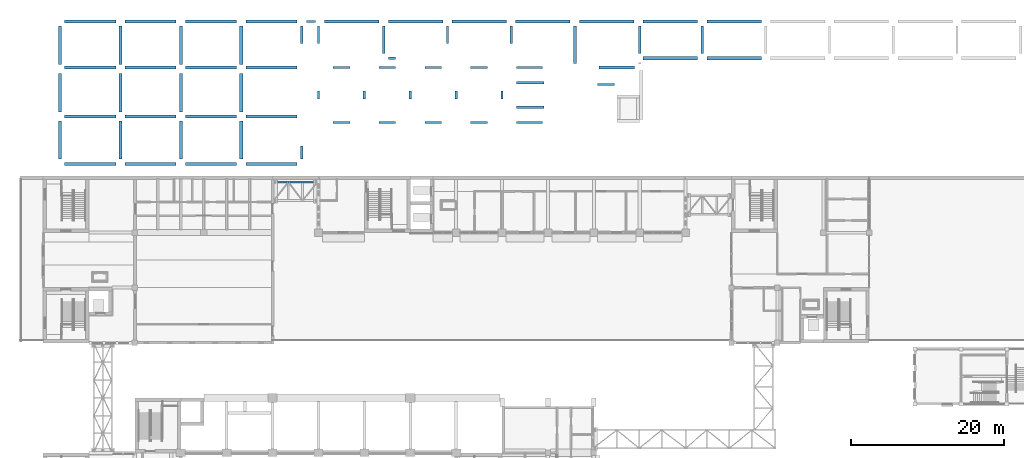
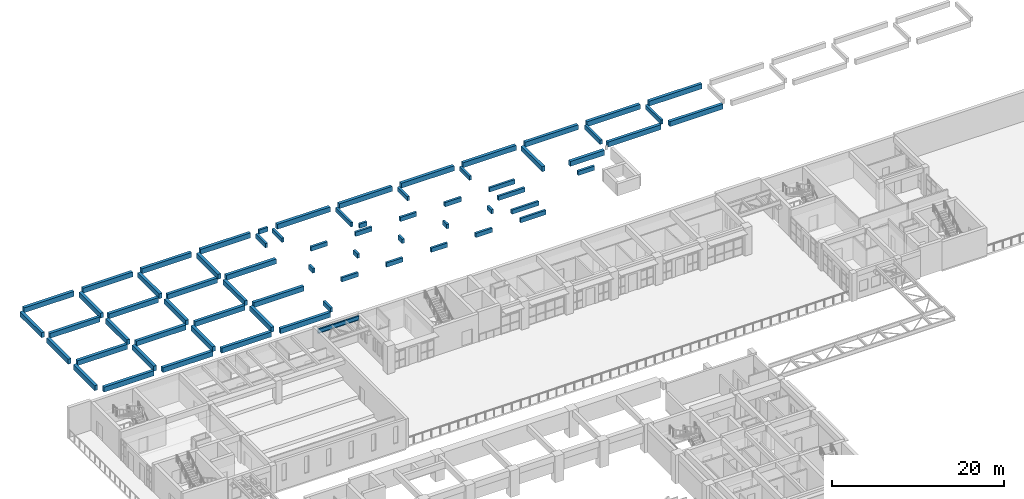
# One storey, part 38 of 103: 68 beams.
"""IFC4 building model written with IfcOpenShell, lengths in metres."""

from ifc_helpers import new_model, si_unit, direction, frame, origin, origin_2d, place, context, subcontext, project, spatial, rectangle, i_section, extrude, material, material_profile, profile_set, type_object, element, save


model = new_model("IFC4")

# Units and contexts
model_context = context("Model", 3, precision=1e-05, world=origin(), true_north=direction((0.0, 1.0)))
body_context = subcontext(model_context, "Body", "Model", "MODEL_VIEW")
ifc_project = project(units=[si_unit("LENGTHUNIT", "METRE"), si_unit("AREAUNIT", "SQUARE_METRE"), si_unit("VOLUMEUNIT", "CUBIC_METRE"), si_unit("PLANEANGLEUNIT", "RADIAN"), si_unit("MASSUNIT", "GRAM", prefix="KILO")], contexts=[model_context])

# Site, building, storey
site_placement = place(None, origin())
site = spatial("IfcSite", under=ifc_project, at=site_placement, CompositionType="ELEMENT")
building_placement = place(site_placement, origin())
building = spatial("IfcBuilding", under=site, at=building_placement, Name="Laocheng Heights Fire and Rescue Headquarters", CompositionType="ELEMENT")
storey_placement = place(building_placement, frame((0.0, 0.0, 4.199951171875)))
storey = spatial("IfcBuildingStorey", under=building, at=storey_placement, Name="L01", CompositionType="ELEMENT", Elevation=4.199951171875)

# Beams
ifc_material_1 = material(Name="Concrete C40", Category="concrete")
ifc_material_profile_1 = material_profile(ifc_material_1, rectangle(XDim=0.300048828125, YDim=0.60009765625, at=origin_2d()), Name="RC GROUND BEAM 300x600")
ifc_profile_set_1 = profile_set([ifc_material_profile_1], Name="Concrete C40")
beam_type_1 = type_object("IfcBeamType", Name="RC GROUND BEAM 300x600", PredefinedType="BEAM", material=ifc_profile_set_1)
beam_1_placement = place(storey_placement, frame((33.800048828125, 60.0, 3.650146484375), z_axis=(0.0, 1.0, 0.0), x_axis=(-1.0, 0.0, 0.0)))
element("IfcBeam", 1, at=beam_1_placement, inside=storey, type_object=beam_type_1, Name="Ground beam GB148", PredefinedType="BEAM", context=body_context, shape_type="SweptSolid", body=[
    extrude(rectangle(XDim=0.300048828125, YDim=0.60009765625, at=origin_2d()), origin(), (0.0, 0.0, 1.0), 1.699951171875),
])
for number, where, z_axis, x_axis, name in (
    (2, (37.89990234375, 64.800048828125, 3.650146484375), (1.0, 0.0, 0.0), (0.0, 1.0, 0.0), "Ground beam GB149"),
    (3, (43.89990234375, 64.800048828125, 3.650146484375), (1.0, 0.0, 0.0), (0.0, 1.0, 0.0), "Ground beam GB150"),
    (4, (49.89990234375, 64.800048828125, 3.650146484375), (1.0, 0.0, 0.0), (0.0, 1.0, 0.0), "Ground beam GB151"),
    (5, (55.89990234375, 64.800048828125, 3.650146484375), (1.0, 0.0, 0.0), (0.0, 1.0, 0.0), "Ground beam GB152"),
):
    element("IfcBeam", number, at=place(storey_placement, frame(where, z_axis=z_axis, x_axis=x_axis)), inside=storey, type_object=beam_type_1, Name=name, PredefinedType="BEAM", context=body_context, shape_type="SweptSolid", body=[
        extrude(rectangle(XDim=0.300048828125, YDim=0.60009765625, at=origin_2d()), origin(), (0.0, 0.0, 1.0), 2.2001953125),
    ])
beam_2_placement = place(storey_placement, frame((61.89990234375, 64.800048828125, 3.650146484375), z_axis=(1.0, 0.0, 0.0), x_axis=(0.0, 1.0, 0.0)))
element("IfcBeam", 6, at=beam_2_placement, inside=storey, type_object=beam_type_1, Name="Ground beam GB153", PredefinedType="BEAM", context=body_context, shape_type="SweptSolid", body=[
    extrude(rectangle(XDim=0.300048828125, YDim=0.60009765625, at=origin_2d()), origin(), (0.0, 0.0, 1.0), 3.400146484375),
])
beam_3_placement = place(storey_placement, frame((61.89990234375, 66.800048828125, 3.650146484375), z_axis=(1.0, 0.0, 0.0), x_axis=(0.0, 1.0, 0.0)))
element("IfcBeam", 7, at=beam_3_placement, inside=storey, type_object=beam_type_1, Name="Ground beam GB162", PredefinedType="BEAM", context=body_context, shape_type="SweptSolid", body=[
    extrude(rectangle(XDim=0.300048828125, YDim=0.60009765625, at=origin_2d()), origin(), (0.0, 0.0, 1.0), 3.60009765625),
])
for number, where, z_axis, x_axis, name in (
    (8, (36.0, 67.89990234375, 3.650146484375), (0.0, 1.0, 0.0), (-1.0, 0.0, 0.0), "Ground beam GB163"),
    (9, (42.0, 67.89990234375, 3.650146484375), (0.0, 1.0, 0.0), (-1.0, 0.0, 0.0), "Ground beam GB164"),
    (10, (48.0, 67.89990234375, 3.650146484375), (0.0, 1.0, 0.0), (-1.0, 0.0, 0.0), "Ground beam GB165"),
    (11, (54.0, 67.89990234375, 3.650146484375), (0.0, 1.0, 0.0), (-1.0, 0.0, 0.0), "Ground beam GB166"),
    (12, (60.0, 67.89990234375, 3.650146484375), (0.0, 1.0, 0.0), (-1.0, 0.0, 0.0), "Ground beam GB167"),
):
    element("IfcBeam", number, at=place(storey_placement, frame(where, z_axis=z_axis, x_axis=x_axis)), inside=storey, type_object=beam_type_1, Name=name, PredefinedType="BEAM", context=body_context, shape_type="SweptSolid", body=[
        extrude(rectangle(XDim=0.300048828125, YDim=0.60009765625, at=origin_2d()), origin(), (0.0, 0.0, 1.0), 1.0),
    ])
beam_4_placement = place(storey_placement, frame((72.5, 69.762451171875, 3.650146484375), z_axis=(1.0, 0.0, 0.0), x_axis=(0.0, 1.0, 0.0)))
element("IfcBeam", 13, at=beam_4_placement, inside=storey, type_object=beam_type_1, Name="Ground beam GB262", PredefinedType="BEAM", context=body_context, shape_type="SweptSolid", body=[
    extrude(rectangle(XDim=0.300048828125, YDim=0.60009765625, at=origin_2d()), origin(), (0.0, 0.0, 1.0), 2.199951171875),
])
beam_5_placement = place(storey_placement, frame((61.89990234375, 70.0, 3.650146484375), z_axis=(1.0, 0.0, 0.0), x_axis=(0.0, 1.0, 0.0)))
element("IfcBeam", 14, at=beam_5_placement, inside=storey, type_object=beam_type_1, Name="Ground beam GB169", PredefinedType="BEAM", context=body_context, shape_type="SweptSolid", body=[
    extrude(rectangle(XDim=0.300048828125, YDim=0.60009765625, at=origin_2d()), origin(), (0.0, 0.0, 1.0), 3.60009765625),
])
for number, where, z_axis, x_axis, name in (
    (15, (37.89990234375, 72.0, 3.650146484375), (1.0, 0.0, 0.0), (0.0, 1.0, 0.0), "Ground beam GB174"),
    (16, (43.89990234375, 72.0, 3.650146484375), (1.0, 0.0, 0.0), (0.0, 1.0, 0.0), "Ground beam GB175"),
    (17, (49.89990234375, 72.0, 3.650146484375), (1.0, 0.0, 0.0), (0.0, 1.0, 0.0), "Ground beam GB176"),
    (18, (55.89990234375, 72.0, 3.650146484375), (1.0, 0.0, 0.0), (0.0, 1.0, 0.0), "Ground beam GB177"),
):
    element("IfcBeam", number, at=place(storey_placement, frame(where, z_axis=z_axis, x_axis=x_axis)), inside=storey, type_object=beam_type_1, Name=name, PredefinedType="BEAM", context=body_context, shape_type="SweptSolid", body=[
        extrude(rectangle(XDim=0.300048828125, YDim=0.60009765625, at=origin_2d()), origin(), (0.0, 0.0, 1.0), 2.2001953125),
    ])
beam_6_placement = place(storey_placement, frame((61.89990234375, 72.0, 3.650146484375), z_axis=(1.0, 0.0, 0.0), x_axis=(0.0, 1.0, 0.0)))
element("IfcBeam", 19, at=beam_6_placement, inside=storey, type_object=beam_type_1, Name="Ground beam GB178", PredefinedType="BEAM", context=body_context, shape_type="SweptSolid", body=[
    extrude(rectangle(XDim=0.300048828125, YDim=0.60009765625, at=origin_2d()), origin(), (0.0, 0.0, 1.0), 3.400146484375),
])
beam_7_placement = place(storey_placement, frame((45.127197265625, 73.199951171875, 3.650146484375), z_axis=(1.0, 0.0, 0.0), x_axis=(0.0, 1.0, 0.0)))
element("IfcBeam", 20, at=beam_7_placement, inside=storey, type_object=beam_type_1, Name="Ground beam GB186", PredefinedType="BEAM", context=body_context, shape_type="SweptSolid", body=[
    extrude(rectangle(XDim=0.300048828125, YDim=0.60009765625, at=origin_2d()), origin(), (0.0, 0.0, 1.0), 0.972900390625),
])
for number, where, z_axis, x_axis, name in (
    (21, (44.52734375, 73.800048828125, 3.650146484375), (0.0, 1.0, 0.0), (-1.0, 0.0, 0.0), "Ground beam GB193"),
    (22, (78.0, 73.800048828125, 3.650146484375), (0.0, 1.0, 0.0), (-1.0, 0.0, 0.0), "Ground beam GB194"),
    (23, (86.16357421875, 73.800048828125, 3.650146484375), (0.0, 1.0, 0.0), (-1.0, 0.0, 0.0), "Ground beam GB195"),
):
    element("IfcBeam", number, at=place(storey_placement, frame(where, z_axis=z_axis, x_axis=x_axis)), inside=storey, type_object=beam_type_1, Name=name, PredefinedType="BEAM", context=body_context, shape_type="SweptSolid", body=[
        extrude(rectangle(XDim=0.300048828125, YDim=0.60009765625, at=origin_2d()), origin(), (0.0, 0.0, 1.0), 3.599853515625),
    ])
for number, where, z_axis, x_axis, name in (
    (24, (33.800048828125, 75.10009765625, 3.650146484375), (0.0, 1.0, 0.0), (-1.0, 0.0, 0.0), "Ground beam GB201"),
    (25, (36.0, 75.10009765625, 3.650146484375), (0.0, 1.0, 0.0), (-1.0, 0.0, 0.0), "Ground beam GB202"),
    (26, (52.8544921875, 75.10009765625, 3.650146484375), (0.0, 1.0, 0.0), (-1.0, 0.0, 0.0), "Ground beam GB203"),
    (27, (61.181884765625, 75.10009765625, 3.650146484375), (0.0, 1.0, 0.0), (-1.0, 0.0, 0.0), "Ground beam GB204"),
):
    element("IfcBeam", number, at=place(storey_placement, frame(where, z_axis=z_axis, x_axis=x_axis)), inside=storey, type_object=beam_type_1, Name=name, PredefinedType="BEAM", context=body_context, shape_type="SweptSolid", body=[
        extrude(rectangle(XDim=0.300048828125, YDim=0.60009765625, at=origin_2d()), origin(), (0.0, 0.0, 1.0), 2.2998046875),
    ])
beam_8_placement = place(storey_placement, frame((34.39990234375, 78.0, 3.650146484375), z_axis=(1.0, 0.0, 0.0), x_axis=(0.0, 1.0, 0.0)))
element("IfcBeam", 28, at=beam_8_placement, inside=storey, type_object=beam_type_1, Name="Ground beam GB209", PredefinedType="BEAM", context=body_context, shape_type="SweptSolid", body=[
    extrude(rectangle(XDim=0.300048828125, YDim=0.60009765625, at=origin_2d()), origin(), (0.0, 0.0, 1.0), 1.2001953125),
])
ifc_material_2 = material(Name="Concrete C40", Category="concrete")
ifc_material_profile_2 = material_profile(ifc_material_2, rectangle(XDim=0.39990234375, YDim=0.699951171875, at=origin_2d()), Name="RC GROUND BEAM 400x700")
ifc_profile_set_2 = profile_set([ifc_material_profile_2], Name="Concrete C40")
beam_type_2 = type_object("IfcBeamType", Name="RC GROUND BEAM 400x700", PredefinedType="BEAM", material=ifc_profile_set_2)
for number, where, z_axis, x_axis, name in (
    (29, (2.800048828125, 59.39990234375, 3.650146484375), (1.0, 0.0, 0.0), (0.0, 1.0, 0.0), "Ground beam GB140"),
    (30, (10.699951171875, 59.39990234375, 3.650146484375), (1.0, 0.0, 0.0), (0.0, 1.0, 0.0), "Ground beam GB141"),
    (31, (18.60009765625, 59.39990234375, 3.650146484375), (1.0, 0.0, 0.0), (0.0, 1.0, 0.0), "Ground beam GB142"),
    (32, (26.5, 59.39990234375, 3.650146484375), (1.0, 0.0, 0.0), (0.0, 1.0, 0.0), "Ground beam GB143"),
):
    element("IfcBeam", number, at=place(storey_placement, frame(where, z_axis=z_axis, x_axis=x_axis)), inside=storey, type_object=beam_type_2, Name=name, PredefinedType="BEAM", context=body_context, shape_type="SweptSolid", body=[
        extrude(rectangle(XDim=0.39990234375, YDim=0.699951171875, at=origin_2d()), origin(), (0.0, 0.0, 1.0), 6.699951171875),
    ])
for number, where, z_axis, x_axis, name in (
    (33, (2.199951171875, 60.0, 3.650146484375), (0.0, 1.0, 0.0), (-1.0, 0.0, 0.0), "Ground beam GB144"),
    (34, (10.10009765625, 60.0, 3.650146484375), (0.0, 1.0, 0.0), (-1.0, 0.0, 0.0), "Ground beam GB145"),
    (35, (18.0, 60.0, 3.650146484375), (0.0, 1.0, 0.0), (-1.0, 0.0, 0.0), "Ground beam GB146"),
    (36, (25.89990234375, 60.0, 3.650146484375), (0.0, 1.0, 0.0), (-1.0, 0.0, 0.0), "Ground beam GB147"),
):
    element("IfcBeam", number, at=place(storey_placement, frame(where, z_axis=z_axis, x_axis=x_axis)), inside=storey, type_object=beam_type_2, Name=name, PredefinedType="BEAM", context=body_context, shape_type="SweptSolid", body=[
        extrude(rectangle(XDim=0.39990234375, YDim=0.699951171875, at=origin_2d()), origin(), (0.0, 0.0, 1.0), 5.0),
    ])
for number, where, z_axis, x_axis, name in (
    (37, (2.800048828125, 65.60009765625, 3.650146484375), (1.0, 0.0, 0.0), (0.0, 1.0, 0.0), "Ground beam GB154"),
    (38, (10.699951171875, 65.60009765625, 3.650146484375), (1.0, 0.0, 0.0), (0.0, 1.0, 0.0), "Ground beam GB155"),
    (39, (18.60009765625, 65.60009765625, 3.650146484375), (1.0, 0.0, 0.0), (0.0, 1.0, 0.0), "Ground beam GB156"),
    (40, (26.5, 65.60009765625, 3.60009765625), (1.0, 0.0, 0.0), (0.0, 1.0, 0.0), "Ground beam GB157"),
):
    element("IfcBeam", number, at=place(storey_placement, frame(where, z_axis=z_axis, x_axis=x_axis)), inside=storey, type_object=beam_type_2, Name=name, PredefinedType="BEAM", context=body_context, shape_type="SweptSolid", body=[
        extrude(rectangle(XDim=0.39990234375, YDim=0.699951171875, at=origin_2d()), origin(), (0.0, 0.0, 1.0), 6.699951171875),
    ])
for number, where, z_axis, x_axis, name in (
    (41, (2.199951171875, 66.199951171875, 3.650146484375), (0.0, 1.0, 0.0), (-1.0, 0.0, 0.0), "Ground beam GB158"),
    (42, (10.10009765625, 66.199951171875, 3.650146484375), (0.0, 1.0, 0.0), (-1.0, 0.0, 0.0), "Ground beam GB159"),
    (43, (18.0, 66.199951171875, 3.650146484375), (0.0, 1.0, 0.0), (-1.0, 0.0, 0.0), "Ground beam GB160"),
    (44, (25.89990234375, 66.199951171875, 3.650146484375), (0.0, 1.0, 0.0), (-1.0, 0.0, 0.0), "Ground beam GB161"),
):
    element("IfcBeam", number, at=place(storey_placement, frame(where, z_axis=z_axis, x_axis=x_axis)), inside=storey, type_object=beam_type_2, Name=name, PredefinedType="BEAM", context=body_context, shape_type="SweptSolid", body=[
        extrude(rectangle(XDim=0.39990234375, YDim=0.699951171875, at=origin_2d()), origin(), (0.0, 0.0, 1.0), 5.0),
    ])
for number, where, z_axis, x_axis, name in (
    (45, (2.800048828125, 72.0, 3.650146484375), (1.0, 0.0, 0.0), (0.0, 1.0, 0.0), "Ground beam GB170"),
    (46, (10.699951171875, 72.0, 3.650146484375), (1.0, 0.0, 0.0), (0.0, 1.0, 0.0), "Ground beam GB171"),
    (47, (18.60009765625, 72.0, 3.650146484375), (1.0, 0.0, 0.0), (0.0, 1.0, 0.0), "Ground beam GB172"),
    (48, (26.5, 72.0, 3.60009765625), (1.0, 0.0, 0.0), (0.0, 1.0, 0.0), "Ground beam GB173"),
):
    element("IfcBeam", number, at=place(storey_placement, frame(where, z_axis=z_axis, x_axis=x_axis)), inside=storey, type_object=beam_type_2, Name=name, PredefinedType="BEAM", context=body_context, shape_type="SweptSolid", body=[
        extrude(rectangle(XDim=0.39990234375, YDim=0.699951171875, at=origin_2d()), origin(), (0.0, 0.0, 1.0), 6.699951171875),
    ])
beam_9_placement = place(storey_placement, frame((72.699951171875, 72.0, 3.60009765625), z_axis=(1.0, 0.0, 0.0), x_axis=(0.0, 1.0, 0.0)))
element("IfcBeam", 49, at=beam_9_placement, inside=storey, type_object=beam_type_2, Name="Ground beam GB179", PredefinedType="BEAM", context=body_context, shape_type="SweptSolid", body=[
    extrude(rectangle(XDim=0.39990234375, YDim=0.699951171875, at=origin_2d()), origin(), (0.0, 0.0, 1.0), 4.60009765625),
])
for number, where, z_axis, x_axis, name in (
    (50, (2.199951171875, 72.39990234375, 3.650146484375), (0.0, 1.0, 0.0), (-1.0, 0.0, 0.0), "Ground beam GB180"),
    (51, (10.10009765625, 72.39990234375, 3.650146484375), (0.0, 1.0, 0.0), (-1.0, 0.0, 0.0), "Ground beam GB181"),
    (52, (18.0, 72.39990234375, 3.650146484375), (0.0, 1.0, 0.0), (-1.0, 0.0, 0.0), "Ground beam GB182"),
    (53, (25.89990234375, 72.39990234375, 3.650146484375), (0.0, 1.0, 0.0), (-1.0, 0.0, 0.0), "Ground beam GB183"),
):
    element("IfcBeam", number, at=place(storey_placement, frame(where, z_axis=z_axis, x_axis=x_axis)), inside=storey, type_object=beam_type_2, Name=name, PredefinedType="BEAM", context=body_context, shape_type="SweptSolid", body=[
        extrude(rectangle(XDim=0.39990234375, YDim=0.699951171875, at=origin_2d()), origin(), (0.0, 0.0, 1.0), 5.0),
    ])
beam_10_placement = place(storey_placement, frame((69.509033203125, 72.5, 3.60009765625), z_axis=(0.0, 1.0, 0.0), x_axis=(-1.0, 0.0, 0.0)))
element("IfcBeam", 54, at=beam_10_placement, inside=storey, type_object=beam_type_2, Name="Ground beam GB184", PredefinedType="BEAM", context=body_context, shape_type="SweptSolid", body=[
    extrude(rectangle(XDim=0.39990234375, YDim=0.699951171875, at=origin_2d()), origin(), (0.0, 0.0, 1.0), 4.89990234375),
])
beam_11_placement = place(storey_placement, frame((78.436279296875, 73.199951171875, 3.60009765625), z_axis=(1.0, 0.0, 0.0), x_axis=(0.0, 1.0, 0.0)))
element("IfcBeam", 55, at=beam_11_placement, inside=storey, type_object=beam_type_2, Name="Ground beam GB187", PredefinedType="BEAM", context=body_context, shape_type="SweptSolid", body=[
    extrude(rectangle(XDim=0.39990234375, YDim=0.699951171875, at=origin_2d()), origin(), (0.0, 0.0, 1.0), 7.12744140625),
])
beam_12_placement = place(storey_placement, frame((86.763671875, 73.199951171875, 3.60009765625), z_axis=(1.0, 0.0, 0.0), x_axis=(0.0, 1.0, 0.0)))
element("IfcBeam", 56, at=beam_12_placement, inside=storey, type_object=beam_type_2, Name="Ground beam GB188", PredefinedType="BEAM", context=body_context, shape_type="SweptSolid", body=[
    extrude(rectangle(XDim=0.39990234375, YDim=0.699951171875, at=origin_2d()), origin(), (0.0, 0.0, 1.0), 7.127197265625),
])
for number, where, z_axis, x_axis, name in (
    (57, (2.800048828125, 78.0, 3.650146484375), (1.0, 0.0, 0.0), (0.0, 1.0, 0.0), "Ground beam GB205"),
    (58, (10.699951171875, 78.0, 3.650146484375), (1.0, 0.0, 0.0), (0.0, 1.0, 0.0), "Ground beam GB206"),
    (59, (18.60009765625, 78.0, 3.650146484375), (1.0, 0.0, 0.0), (0.0, 1.0, 0.0), "Ground beam GB207"),
    (60, (26.5, 78.0, 3.650146484375), (1.0, 0.0, 0.0), (0.0, 1.0, 0.0), "Ground beam GB208"),
):
    element("IfcBeam", number, at=place(storey_placement, frame(where, z_axis=z_axis, x_axis=x_axis)), inside=storey, type_object=beam_type_2, Name=name, PredefinedType="BEAM", context=body_context, shape_type="SweptSolid", body=[
        extrude(rectangle(XDim=0.39990234375, YDim=0.699951171875, at=origin_2d()), origin(), (0.0, 0.0, 1.0), 6.699951171875),
    ])
for number, where, z_axis, x_axis, name in (
    (61, (36.800048828125, 78.0, 3.60009765625), (1.0, 0.0, 0.0), (0.0, 1.0, 0.0), "Ground beam GB210"),
    (62, (45.127197265625, 78.0, 3.60009765625), (1.0, 0.0, 0.0), (0.0, 1.0, 0.0), "Ground beam GB211"),
    (63, (53.45458984375, 78.0, 3.60009765625), (1.0, 0.0, 0.0), (0.0, 1.0, 0.0), "Ground beam GB212"),
):
    element("IfcBeam", number, at=place(storey_placement, frame(where, z_axis=z_axis, x_axis=x_axis)), inside=storey, type_object=beam_type_2, Name=name, PredefinedType="BEAM", context=body_context, shape_type="SweptSolid", body=[
        extrude(rectangle(XDim=0.39990234375, YDim=0.699951171875, at=origin_2d()), origin(), (0.0, 0.0, 1.0), 7.127197265625),
    ])
beam_13_placement = place(storey_placement, frame((61.78173828125, 78.0, 3.60009765625), z_axis=(1.0, 0.0, 0.0), x_axis=(0.0, 1.0, 0.0)))
element("IfcBeam", 64, at=beam_13_placement, inside=storey, type_object=beam_type_2, Name="Ground beam GB213", PredefinedType="BEAM", context=body_context, shape_type="SweptSolid", body=[
    extrude(rectangle(XDim=0.39990234375, YDim=0.699951171875, at=origin_2d()), origin(), (0.0, 0.0, 1.0), 7.12744140625),
])
beam_14_placement = place(storey_placement, frame((70.109130859375, 78.0, 3.60009765625), z_axis=(1.0, 0.0, 0.0), x_axis=(0.0, 1.0, 0.0)))
element("IfcBeam", 65, at=beam_14_placement, inside=storey, type_object=beam_type_2, Name="Ground beam GB214", PredefinedType="BEAM", context=body_context, shape_type="SweptSolid", body=[
    extrude(rectangle(XDim=0.39990234375, YDim=0.699951171875, at=origin_2d()), origin(), (0.0, 0.0, 1.0), 7.127197265625),
])
beam_15_placement = place(storey_placement, frame((78.436279296875, 78.0, 3.60009765625), z_axis=(1.0, 0.0, 0.0), x_axis=(0.0, 1.0, 0.0)))
element("IfcBeam", 66, at=beam_15_placement, inside=storey, type_object=beam_type_2, Name="Ground beam GB215", PredefinedType="BEAM", context=body_context, shape_type="SweptSolid", body=[
    extrude(rectangle(XDim=0.39990234375, YDim=0.699951171875, at=origin_2d()), origin(), (0.0, 0.0, 1.0), 7.12744140625),
])
beam_16_placement = place(storey_placement, frame((86.763671875, 78.0, 3.60009765625), z_axis=(1.0, 0.0, 0.0), x_axis=(0.0, 1.0, 0.0)))
element("IfcBeam", 67, at=beam_16_placement, inside=storey, type_object=beam_type_2, Name="Ground beam GB216", PredefinedType="BEAM", context=body_context, shape_type="SweptSolid", body=[
    extrude(rectangle(XDim=0.39990234375, YDim=0.699951171875, at=origin_2d()), origin(), (0.0, 0.0, 1.0), 7.127197265625),
])
ifc_material_3 = material(Name="Steel Q355B", Category="steel")
ifc_material_profile_3 = material_profile(ifc_material_3, i_section(OverallWidth=0.199951171875, OverallDepth=0.60009765625, WebThickness=0.010986328125, FlangeThickness=0.01708984375, at=origin_2d()), Name="HN 600x200x11x17")
ifc_profile_set_3 = profile_set([ifc_material_profile_3], Name="Steel Q355B")
beam_type_3 = type_object("IfcBeamType", Name="STEEL BRIDGE GIRDER HN 600x200x11x17", PredefinedType="BEAM", material=ifc_profile_set_3)
beam_17_placement = place(storey_placement, frame((30.22509765625, 57.0, 3.699951171875), z_axis=(1.0, 0.0, 0.0), x_axis=(0.0, 1.0, 0.0)))
element("IfcBeam", 68, at=beam_17_placement, inside=storey, type_object=beam_type_3, Name="Bridge B2 girder", PredefinedType="BEAM", context=body_context, shape_type="SweptSolid", body=[
    extrude(i_section(OverallWidth=0.199951171875, OverallDepth=0.60009765625, WebThickness=0.010986328125, FlangeThickness=0.01708984375, at=origin_2d()), origin(), (0.0, 0.0, 1.0), 5.52490234375),
])

save(model, "model.ifc")
